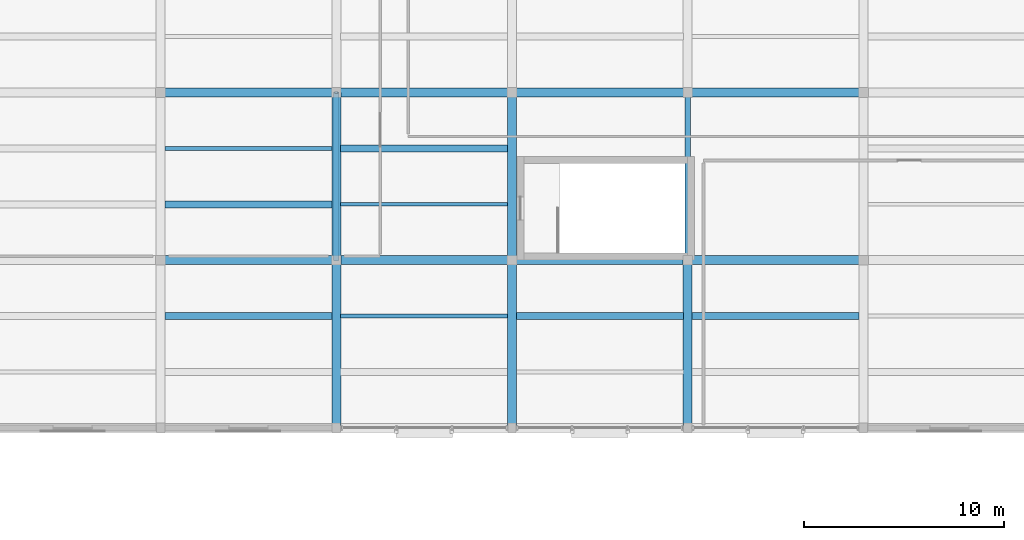
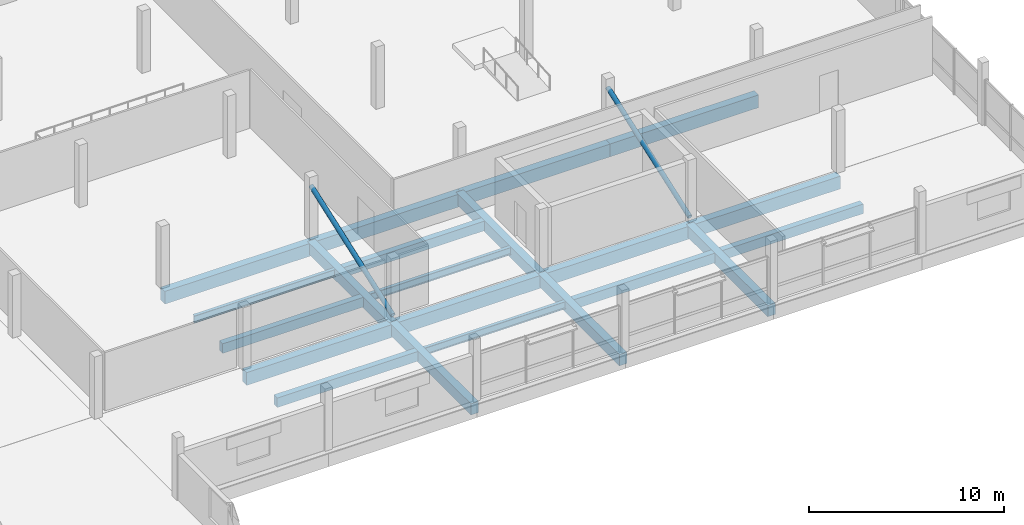
# One storey, part 28 of 62: 21 beams, 2 members.
"""IFC4 building model written with IfcOpenShell, lengths in metres."""

from ifc_helpers import new_model, si_unit, direction, frame, origin, origin_2d, place, context, subcontext, project, spatial, rectangle, hollow_circle, i_section, extrude, material, material_profile, profile_set, type_object, element, save


model = new_model("IFC4")

# Units and contexts
model_context = context("Model", 3, precision=1e-05, world=origin(), true_north=direction((0.0, 1.0)))
body_context = subcontext(model_context, "Body", "Model", "MODEL_VIEW")
ifc_project = project(units=[si_unit("LENGTHUNIT", "METRE"), si_unit("AREAUNIT", "SQUARE_METRE"), si_unit("VOLUMEUNIT", "CUBIC_METRE"), si_unit("PLANEANGLEUNIT", "RADIAN"), si_unit("MASSUNIT", "GRAM", prefix="KILO")], contexts=[model_context])

# Site, building, storey
site_placement = place(None, origin())
site = spatial("IfcSite", under=ifc_project, at=site_placement, CompositionType="ELEMENT")
building_placement = place(site_placement, origin())
building = spatial("IfcBuilding", under=site, at=building_placement, Name="Meriwether Solvik Hall", CompositionType="ELEMENT")
storey_placement = place(building_placement, frame((0.0, 0.0, 14.39990234375)))
storey = spatial("IfcBuildingStorey", under=building, at=storey_placement, Name="L03", CompositionType="ELEMENT", Elevation=14.39990234375)

# Beams
ifc_material_1 = material(Name="Concrete C40/50", Category="concrete")
ifc_material_profile_1 = material_profile(ifc_material_1, rectangle(XDim=0.35009765625, YDim=0.60009765625, at=origin_2d()), Name="RCB-350X600")
ifc_profile_set_1 = profile_set([ifc_material_profile_1], Name="Concrete C40/50")
beam_type_1 = type_object("IfcBeamType", Name="BM-RC-350X600", PredefinedType="JOIST", material=ifc_profile_set_1)
for number, where, z_axis, x_axis, name in (
    (1, (123.219970703125, 55.60009765625, -0.544921875), (1.0, 0.0, 0.0), (0.0, 1.0, 0.0), "Secondary Floor Joist 14/F_J2 (L03)"),
    (2, (123.219970703125, 61.199951171875, -0.544921875), (1.0, 0.0, 0.0), (0.0, 1.0, 0.0), "Secondary Floor Joist 14/G_J1 (L03)"),
):
    element("IfcBeam", number, at=place(storey_placement, frame(where, z_axis=z_axis, x_axis=x_axis)), inside=storey, type_object=beam_type_1, Name=name, PredefinedType="JOIST", context=body_context, shape_type="SweptSolid", body=[
        extrude(rectangle(XDim=0.35009765625, YDim=0.60009765625, at=origin_2d()), origin(), (0.0, 0.0, 1.0), 8.360107421875),
    ])
for number, where, z_axis, x_axis, name in (
    (3, (132.02001953125, 64.0, -0.544921875), (1.0, 0.0, 0.0), (0.0, 1.0, 0.0), "Secondary Floor Joist 15/G_J2 (L03)"),
    (4, (140.820068359375, 55.60009765625, -0.544921875), (1.0, 0.0, 0.0), (0.0, 1.0, 0.0), "Secondary Floor Joist 16/F_J2 (L03)"),
    (5, (149.6201171875, 55.60009765625, -0.544921875), (1.0, 0.0, 0.0), (0.0, 1.0, 0.0), "Secondary Floor Joist 17/F_J2 (L03)"),
):
    element("IfcBeam", number, at=place(storey_placement, frame(where, z_axis=z_axis, x_axis=x_axis)), inside=storey, type_object=beam_type_1, Name=name, PredefinedType="JOIST", context=body_context, shape_type="SweptSolid", body=[
        extrude(rectangle(XDim=0.35009765625, YDim=0.60009765625, at=origin_2d()), origin(), (0.0, 0.0, 1.0), 8.35986328125),
    ])
ifc_material_2 = material(Name="Concrete C40/50", Category="concrete")
ifc_material_profile_2 = material_profile(ifc_material_2, rectangle(XDim=0.449951171875, YDim=0.699951171875, at=origin_2d()), Name="RCB-450X700")
ifc_profile_set_2 = profile_set([ifc_material_profile_2], Name="Concrete C40/50")
beam_type_2 = type_object("IfcBeamType", Name="BM-RC-450X700", PredefinedType="BEAM", material=ifc_profile_set_2)
beam_1_placement = place(storey_placement, frame((131.800048828125, 50.0, -0.594970703125), z_axis=(0.0, 1.0, 0.0), x_axis=(-1.0, 0.0, 0.0)))
element("IfcBeam", 6, at=beam_1_placement, inside=storey, type_object=beam_type_2, Name="Podium Girder 15:F-G (L03)", PredefinedType="BEAM", context=body_context, shape_type="SweptSolid", body=[
    extrude(rectangle(XDim=0.449951171875, YDim=0.699951171875, at=origin_2d()), origin(), (0.0, 0.0, 1.0), 8.39990234375),
])
beam_2_placement = place(storey_placement, frame((131.800048828125, 58.39990234375, -0.594970703125), z_axis=(0.0, 1.0, 0.0), x_axis=(-1.0, 0.0, 0.0)))
element("IfcBeam", 7, at=beam_2_placement, inside=storey, type_object=beam_type_2, Name="Podium Girder 15:G-H (L03)", PredefinedType="BEAM", context=body_context, shape_type="SweptSolid", body=[
    extrude(rectangle(XDim=0.449951171875, YDim=0.699951171875, at=origin_2d()), origin(), (0.0, 0.0, 1.0), 8.400146484375),
])
beam_3_placement = place(storey_placement, frame((140.60009765625, 50.0, -0.594970703125), z_axis=(0.0, 1.0, 0.0), x_axis=(-1.0, 0.0, 0.0)))
element("IfcBeam", 8, at=beam_3_placement, inside=storey, type_object=beam_type_2, Name="Podium Girder 16:F-G (L03)", PredefinedType="BEAM", context=body_context, shape_type="SweptSolid", body=[
    extrude(rectangle(XDim=0.449951171875, YDim=0.699951171875, at=origin_2d()), origin(), (0.0, 0.0, 1.0), 8.39990234375),
])
beam_4_placement = place(storey_placement, frame((140.60009765625, 58.39990234375, -0.594970703125), z_axis=(0.0, 1.0, 0.0), x_axis=(-1.0, 0.0, 0.0)))
element("IfcBeam", 9, at=beam_4_placement, inside=storey, type_object=beam_type_2, Name="Podium Girder 16:G-H (L03)", PredefinedType="BEAM", context=body_context, shape_type="SweptSolid", body=[
    extrude(rectangle(XDim=0.449951171875, YDim=0.699951171875, at=origin_2d()), origin(), (0.0, 0.0, 1.0), 8.400146484375),
])
beam_5_placement = place(storey_placement, frame((149.39990234375, 50.0, -0.594970703125), z_axis=(0.0, 1.0, 0.0), x_axis=(-1.0, 0.0, 0.0)))
element("IfcBeam", 10, at=beam_5_placement, inside=storey, type_object=beam_type_2, Name="Podium Girder 17:F-G (L03)", PredefinedType="BEAM", context=body_context, shape_type="SweptSolid", body=[
    extrude(rectangle(XDim=0.449951171875, YDim=0.699951171875, at=origin_2d()), origin(), (0.0, 0.0, 1.0), 8.39990234375),
])
ifc_material_3 = material(Name="Concrete C40/50", Category="concrete")
ifc_material_profile_3 = material_profile(ifc_material_3, rectangle(XDim=0.449951171875, YDim=0.800048828125, at=origin_2d()), Name="RCB-450X800")
ifc_profile_set_3 = profile_set([ifc_material_profile_3], Name="Concrete C40/50")
beam_type_3 = type_object("IfcBeamType", Name="BM-RC-450X800", PredefinedType="BEAM", material=ifc_profile_set_3)
for number, where, z_axis, x_axis, name in (
    (11, (123.0, 58.39990234375, -0.64501953125), (1.0, 0.0, 0.0), (0.0, 1.0, 0.0), "Podium Girder G:14-15 (L03)"),
    (12, (131.800048828125, 58.39990234375, -0.64501953125), (1.0, 0.0, 0.0), (0.0, 1.0, 0.0), "Podium Girder G:15-16 (L03)"),
):
    element("IfcBeam", number, at=place(storey_placement, frame(where, z_axis=z_axis, x_axis=x_axis)), inside=storey, type_object=beam_type_3, Name=name, PredefinedType="BEAM", context=body_context, shape_type="SweptSolid", body=[
        extrude(rectangle(XDim=0.449951171875, YDim=0.800048828125, at=origin_2d()), origin(), (0.0, 0.0, 1.0), 8.800048828125),
    ])
beam_6_placement = place(storey_placement, frame((140.60009765625, 58.39990234375, -0.64501953125), z_axis=(1.0, 0.0, 0.0), x_axis=(0.0, 1.0, 0.0)))
element("IfcBeam", 13, at=beam_6_placement, inside=storey, type_object=beam_type_3, Name="Podium Girder G:16-17 (L03)", PredefinedType="BEAM", context=body_context, shape_type="SweptSolid", body=[
    extrude(rectangle(XDim=0.449951171875, YDim=0.800048828125, at=origin_2d()), origin(), (0.0, 0.0, 1.0), 8.7998046875),
])
for number, where, z_axis, x_axis, name in (
    (14, (149.39990234375, 58.39990234375, -0.64501953125), (1.0, 0.0, 0.0), (0.0, 1.0, 0.0), "Podium Girder G:17-18 (L03)"),
    (15, (123.0, 66.800048828125, -0.64501953125), (1.0, 0.0, 0.0), (0.0, 1.0, 0.0), "Podium Girder H:14-15 (L03)"),
    (16, (131.800048828125, 66.800048828125, -0.64501953125), (1.0, 0.0, 0.0), (0.0, 1.0, 0.0), "Podium Girder H:15-16 (L03)"),
):
    element("IfcBeam", number, at=place(storey_placement, frame(where, z_axis=z_axis, x_axis=x_axis)), inside=storey, type_object=beam_type_3, Name=name, PredefinedType="BEAM", context=body_context, shape_type="SweptSolid", body=[
        extrude(rectangle(XDim=0.449951171875, YDim=0.800048828125, at=origin_2d()), origin(), (0.0, 0.0, 1.0), 8.800048828125),
    ])
beam_7_placement = place(storey_placement, frame((140.60009765625, 66.800048828125, -0.64501953125), z_axis=(1.0, 0.0, 0.0), x_axis=(0.0, 1.0, 0.0)))
element("IfcBeam", 17, at=beam_7_placement, inside=storey, type_object=beam_type_3, Name="Podium Girder H:16-17 (L03)", PredefinedType="BEAM", context=body_context, shape_type="SweptSolid", body=[
    extrude(rectangle(XDim=0.449951171875, YDim=0.800048828125, at=origin_2d()), origin(), (0.0, 0.0, 1.0), 8.7998046875),
])
beam_8_placement = place(storey_placement, frame((149.39990234375, 66.800048828125, -0.64501953125), z_axis=(1.0, 0.0, 0.0), x_axis=(0.0, 1.0, 0.0)))
element("IfcBeam", 18, at=beam_8_placement, inside=storey, type_object=beam_type_3, Name="Podium Girder H:17-18 (L03)", PredefinedType="BEAM", context=body_context, shape_type="SweptSolid", body=[
    extrude(rectangle(XDim=0.449951171875, YDim=0.800048828125, at=origin_2d()), origin(), (0.0, 0.0, 1.0), 8.800048828125),
])
ifc_material_4 = material(Name="Steel A992 Grade 50", Category="steel")
ifc_material_profile_4 = material_profile(ifc_material_4, i_section(OverallWidth=0.19091796875, OverallDepth=0.45703125, WebThickness=0.009033203125, FlangeThickness=0.014404296875, at=origin_2d()), Name="W18X50")
ifc_profile_set_4 = profile_set([ifc_material_profile_4], Name="Steel A992 Grade 50")
beam_type_4 = type_object("IfcBeamType", Name="BM-STL-W18X50", PredefinedType="JOIST", material=ifc_profile_set_4)
beam_9_placement = place(storey_placement, frame((123.219970703125, 64.0, -0.473388671875), z_axis=(1.0, 0.0, 0.0), x_axis=(0.0, 1.0, 0.0)))
element("IfcBeam", 19, at=beam_9_placement, inside=storey, type_object=beam_type_4, Name="Secondary Floor Joist 14/G_J2 (L03)", PredefinedType="JOIST", context=body_context, shape_type="SweptSolid", body=[
    extrude(i_section(OverallWidth=0.19091796875, OverallDepth=0.45703125, WebThickness=0.009033203125, FlangeThickness=0.014404296875, at=origin_2d()), origin(), (0.0, 0.0, 1.0), 8.360107421875),
])
for number, where, z_axis, x_axis, name in (
    (20, (132.02001953125, 55.60009765625, -0.473388671875), (1.0, 0.0, 0.0), (0.0, 1.0, 0.0), "Secondary Floor Joist 15/F_J2 (L03)"),
    (21, (132.02001953125, 61.199951171875, -0.473388671875), (1.0, 0.0, 0.0), (0.0, 1.0, 0.0), "Secondary Floor Joist 15/G_J1 (L03)"),
):
    element("IfcBeam", number, at=place(storey_placement, frame(where, z_axis=z_axis, x_axis=x_axis)), inside=storey, type_object=beam_type_4, Name=name, PredefinedType="JOIST", context=body_context, shape_type="SweptSolid", body=[
        extrude(i_section(OverallWidth=0.19091796875, OverallDepth=0.45703125, WebThickness=0.009033203125, FlangeThickness=0.014404296875, at=origin_2d()), origin(), (0.0, 0.0, 1.0), 8.35986328125),
    ])

# Members
ifc_material_5 = material(Name="Steel A500 Grade C", Category="steel")
ifc_material_profile_5 = material_profile(ifc_material_5, hollow_circle(Radius=0.136474609375, WallThickness=0.0126953125, at=origin_2d()), Name="CHS273X12.7")
ifc_profile_set_5 = profile_set([ifc_material_profile_5], Name="Steel A500 Grade C")
member_type = type_object("IfcMemberType", Name="MEM-BR-CHS273", PredefinedType="BRACE", material=ifc_profile_set_5)
for number, where, z_axis, x_axis, name in (
    (22, (131.800048828125, 58.39990234375, 0.150146484375), (0.0, 0.941570289438, 0.336816552515), (-1.0, 0.0, 0.0), "Podium Diagonal Brace L03-PB3"),
    (23, (149.39990234375, 58.39990234375, 0.150146484375), (0.0, 0.941570289438, 0.336816552515), (-1.0, 0.0, 0.0), "Podium Diagonal Brace L03-PB4"),
):
    element("IfcMember", number, at=place(storey_placement, frame(where, z_axis=z_axis, x_axis=x_axis)), inside=storey, type_object=member_type, Name=name, PredefinedType="BRACE", context=body_context, shape_type="SweptSolid", body=[
        extrude(hollow_circle(Radius=0.136474609375, WallThickness=0.0126953125, at=origin_2d()), origin(), (0.0, 0.0, 1.0), 8.92138671875),
    ])

save(model, "model.ifc")
